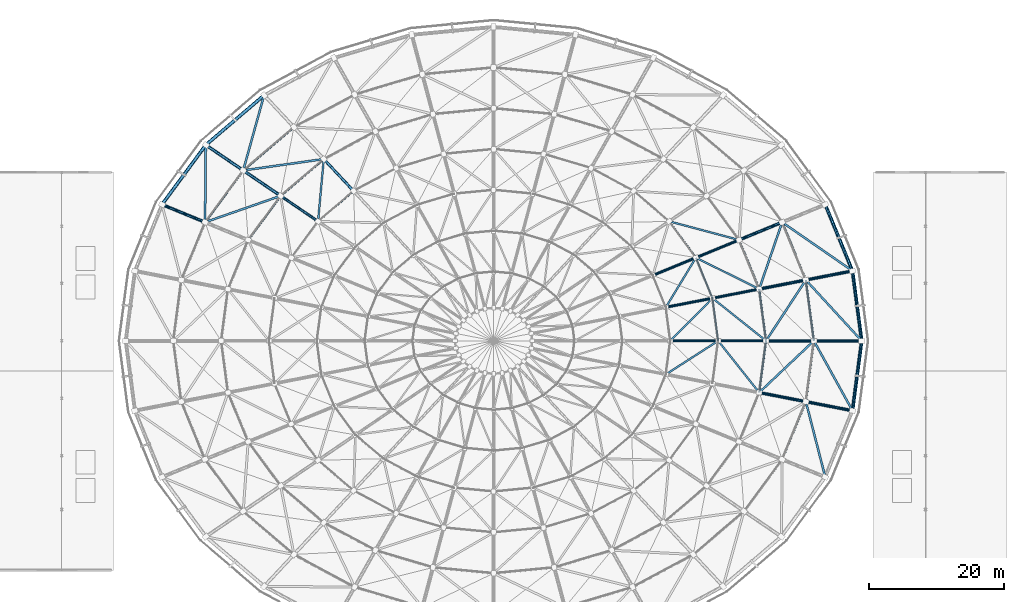
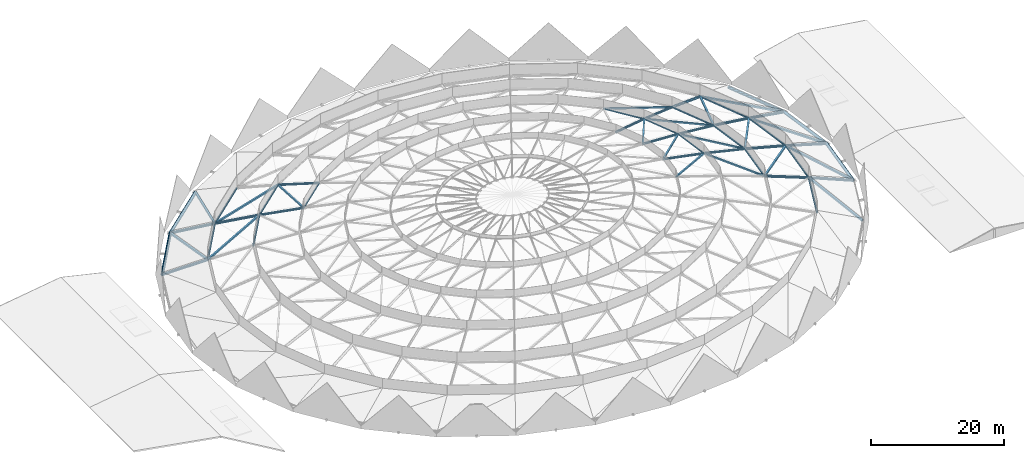
# One storey, part 13 of 27: 52 members, 5 beams.
"""IFC4 building model written with IfcOpenShell, lengths in metres."""

from ifc_helpers import new_model, si_unit, direction, frame, origin, origin_2d, place, context, subcontext, project, spatial, hollow_rectangle, hollow_circle, extrude, material, material_profile, profile_set, type_object, element, save


model = new_model("IFC4")

# Units and contexts
model_context = context("Model", 3, precision=1e-05, world=origin(), true_north=direction((0.0, 1.0)))
body_context = subcontext(model_context, "Body", "Model", "MODEL_VIEW")
ifc_project = project(units=[si_unit("LENGTHUNIT", "METRE"), si_unit("AREAUNIT", "SQUARE_METRE"), si_unit("VOLUMEUNIT", "CUBIC_METRE"), si_unit("PLANEANGLEUNIT", "RADIAN"), si_unit("MASSUNIT", "GRAM", prefix="KILO")], contexts=[model_context])

# Site, building, storey
site_placement = place(None, origin())
site = spatial("IfcSite", under=ifc_project, at=site_placement, CompositionType="ELEMENT")
building_placement = place(site_placement, origin())
building = spatial("IfcBuilding", under=site, at=building_placement, Name="Cuetzalor Civic Arena", CompositionType="ELEMENT")
storey_placement = place(building_placement, frame((0.0, 0.0, 31.800048828125)))
storey = spatial("IfcBuildingStorey", under=building, at=storey_placement, Name="Roof", CompositionType="ELEMENT", Elevation=31.800048828125)

# Members
ifc_material_1 = material(Name="Steel S355J2H", Category="steel")
ifc_material_profile_1 = material_profile(ifc_material_1, hollow_circle(Radius=0.136474609375, WallThickness=0.010009765625, at=origin_2d()), Name="CHS 273x10")
ifc_profile_set_1 = profile_set([ifc_material_profile_1], Name="Steel S355J2H")
member_type_1 = type_object("IfcMemberType", Name="DomeAnnularChord_CHS273", PredefinedType="CHORD", material=ifc_profile_set_1)
member_1_placement = place(storey_placement, frame((33.275146484375, 0.001953125, 5.66650390625), z_axis=(-0.130895721038, 0.99139614192, 0.0), x_axis=(-0.99139614192, -0.130895721038, 0.0)))
element("IfcMember", 1, at=member_1_placement, inside=storey, type_object=member_type_1, Name="Dome Roof Truss Annular Ring Chord R3-S01", PredefinedType="CHORD", context=body_context, shape_type="SweptSolid", body=[
    extrude(hollow_circle(Radius=0.136474609375, WallThickness=0.010009765625, at=origin_2d()), origin(), (0.0, 0.0, 1.0), 6.369384765625),
])
member_2_placement = place(storey_placement, frame((32.4404296875, 6.320556640625, 5.66650390625), z_axis=(-0.379402610444, 0.925231678656, 0.0), x_axis=(-0.925231678656, -0.379402610444, 0.0)))
element("IfcMember", 2, at=member_2_placement, inside=storey, type_object=member_type_1, Name="Dome Roof Truss Annular Ring Chord R3-S02", PredefinedType="CHORD", context=body_context, shape_type="SweptSolid", body=[
    extrude(hollow_circle(Radius=0.136474609375, WallThickness=0.010009765625, at=origin_2d()), origin(), (0.0, 0.0, 1.0), 6.482421875),
])
member_3_placement = place(storey_placement, frame((29.97900390625, 12.322021484375, 5.66650390625), z_axis=(-0.592932287523, 0.805252322203, 0.0), x_axis=(-0.805252322203, -0.592932287523, 0.0)))
element("IfcMember", 3, at=member_3_placement, inside=storey, type_object=member_type_1, Name="Dome Roof Truss Annular Ring Chord R3-S03", PredefinedType="CHORD", context=body_context, shape_type="SweptSolid", body=[
    extrude(hollow_circle(Radius=0.136474609375, WallThickness=0.010009765625, at=origin_2d()), origin(), (0.0, 0.0, 1.0), 6.681884765625),
])
member_4_placement = place(storey_placement, frame((-20.748291015625, 22.19921875, 5.66650390625), z_axis=(-0.760693610766, -0.649111108009, 0.0), x_axis=(0.649111108009, -0.760693610766, 0.0)))
element("IfcMember", 4, at=member_4_placement, inside=storey, type_object=member_type_1, Name="Dome Roof Truss Annular Ring Chord R3-S11", PredefinedType="CHORD", context=body_context, shape_type="SweptSolid", body=[
    extrude(hollow_circle(Radius=0.136474609375, WallThickness=0.010009765625, at=origin_2d()), origin(), (0.0, 0.0, 1.0), 6.9228515625),
])
ifc_material_2 = material(Name="Steel S355J2H", Category="steel")
ifc_material_profile_2 = material_profile(ifc_material_2, hollow_circle(Radius=0.161865234375, WallThickness=0.012451171875, at=origin_2d()), Name="CHS 323.9x12.5")
ifc_profile_set_2 = profile_set([ifc_material_profile_2], Name="Steel S355J2H")
member_type_2 = type_object("IfcMemberType", Name="DomeAnnularChord_CHS323", PredefinedType="CHORD", material=ifc_profile_set_2)
member_5_placement = place(storey_placement, frame((47.458251953125, 0.001953125, 2.11083984375), z_axis=(-0.130910465055, 0.991394195131, 0.0), x_axis=(-0.991394195131, -0.130910465055, 0.0)))
element("IfcMember", 5, at=member_5_placement, inside=storey, type_object=member_type_2, Name="Dome Roof Truss Annular Ring Chord R1-S01", PredefinedType="CHORD", context=body_context, shape_type="SweptSolid", body=[
    extrude(hollow_circle(Radius=0.161865234375, WallThickness=0.012451171875, at=origin_2d()), origin(), (0.0, 0.0, 1.0), 9.0859375),
])
member_6_placement = place(storey_placement, frame((46.267822265625, 9.013671875, 2.11083984375), z_axis=(-0.379388313987, 0.925237540965, 0.0), x_axis=(-0.925237540965, -0.379388313987, 0.0)))
element("IfcMember", 6, at=member_6_placement, inside=storey, type_object=member_type_2, Name="Dome Roof Truss Annular Ring Chord R1-S02", PredefinedType="CHORD", context=body_context, shape_type="SweptSolid", body=[
    extrude(hollow_circle(Radius=0.161865234375, WallThickness=0.012451171875, at=origin_2d()), origin(), (0.0, 0.0, 1.0), 9.247314453125),
])
member_7_placement = place(storey_placement, frame((-29.59130859375, 31.66162109375, 2.11083984375), z_axis=(-0.760691040158, -0.649114120493, 0.0), x_axis=(0.649114120493, -0.760691040158, 0.0)))
element("IfcMember", 7, at=member_7_placement, inside=storey, type_object=member_type_2, Name="Dome Roof Truss Annular Ring Chord R1-S11", PredefinedType="CHORD", context=body_context, shape_type="SweptSolid", body=[
    extrude(hollow_circle(Radius=0.161865234375, WallThickness=0.012451171875, at=origin_2d()), origin(), (0.0, 0.0, 1.0), 9.874755859375),
])
member_8_placement = place(storey_placement, frame((-37.105712890625, 25.248779296875, 2.11083984375), z_axis=(-0.59292378617, -0.805258581943, 0.0), x_axis=(0.805258581943, -0.59292378617, 0.0)))
element("IfcMember", 8, at=member_8_placement, inside=storey, type_object=member_type_2, Name="Dome Roof Truss Annular Ring Chord R1-S12", PredefinedType="CHORD", context=body_context, shape_type="SweptSolid", body=[
    extrude(hollow_circle(Radius=0.161865234375, WallThickness=0.012451171875, at=origin_2d()), origin(), (0.0, 0.0, 1.0), 9.53173828125),
])
member_9_placement = place(storey_placement, frame((42.759521484375, -17.569580078125, 2.11083984375), z_axis=(0.379388313987, 0.925237540965, 0.0), x_axis=(-0.925237540965, 0.379388313987, 0.0)))
element("IfcMember", 9, at=member_9_placement, inside=storey, type_object=member_type_2, Name="Dome Roof Truss Annular Ring Chord R1-S27", PredefinedType="CHORD", context=body_context, shape_type="SweptSolid", body=[
    extrude(hollow_circle(Radius=0.161865234375, WallThickness=0.012451171875, at=origin_2d()), origin(), (0.0, 0.0, 1.0), 9.247314453125),
])
member_10_placement = place(storey_placement, frame((46.268798828125, -9.009765625, 2.11083984375), z_axis=(0.130910465055, 0.991394195131, 0.0), x_axis=(-0.991394195131, 0.130910465055, 0.0)))
element("IfcMember", 10, at=member_10_placement, inside=storey, type_object=member_type_2, Name="Dome Roof Truss Annular Ring Chord R1-S28", PredefinedType="CHORD", context=body_context, shape_type="SweptSolid", body=[
    extrude(hollow_circle(Radius=0.161865234375, WallThickness=0.012451171875, at=origin_2d()), origin(), (0.0, 0.0, 1.0), 9.0859375),
])
member_11_placement = place(storey_placement, frame((40.36669921875, 0.001953125, 4.004638671875), z_axis=(-0.130890912875, 0.991396776738, 0.0), x_axis=(-0.991396776738, -0.130890912875, 0.0)))
element("IfcMember", 11, at=member_11_placement, inside=storey, type_object=member_type_2, Name="Dome Roof Truss Annular Ring Chord R2-S01", PredefinedType="CHORD", context=body_context, shape_type="SweptSolid", body=[
    extrude(hollow_circle(Radius=0.161865234375, WallThickness=0.012451171875, at=origin_2d()), origin(), (0.0, 0.0, 1.0), 7.7275390625),
])
member_12_placement = place(storey_placement, frame((39.35400390625, 7.6669921875, 4.004638671875), z_axis=(-0.379383309486, 0.925239593016, 0.0), x_axis=(-0.925239593016, -0.379383309486, 0.0)))
element("IfcMember", 12, at=member_12_placement, inside=storey, type_object=member_type_2, Name="Dome Roof Truss Annular Ring Chord R2-S02", PredefinedType="CHORD", context=body_context, shape_type="SweptSolid", body=[
    extrude(hollow_circle(Radius=0.161865234375, WallThickness=0.012451171875, at=origin_2d()), origin(), (0.0, 0.0, 1.0), 7.864990234375),
])
member_13_placement = place(storey_placement, frame((-25.169921875, 26.930419921875, 4.004638671875), z_axis=(-0.760687028115, -0.649118822141, 0.0), x_axis=(0.649118822141, -0.760687028115, 0.0)))
element("IfcMember", 13, at=member_13_placement, inside=storey, type_object=member_type_2, Name="Dome Roof Truss Annular Ring Chord R2-S11", PredefinedType="CHORD", context=body_context, shape_type="SweptSolid", body=[
    extrude(hollow_circle(Radius=0.161865234375, WallThickness=0.012451171875, at=origin_2d()), origin(), (0.0, 0.0, 1.0), 8.3984375),
])
member_14_placement = place(storey_placement, frame((-31.561279296875, 21.475830078125, 4.004638671875), z_axis=(-0.592922674984, -0.805259400125, 0.0), x_axis=(0.805259400125, -0.592922674984, 0.0)))
element("IfcMember", 14, at=member_14_placement, inside=storey, type_object=member_type_2, Name="Dome Roof Truss Annular Ring Chord R2-S12", PredefinedType="CHORD", context=body_context, shape_type="SweptSolid", body=[
    extrude(hollow_circle(Radius=0.161865234375, WallThickness=0.012451171875, at=origin_2d()), origin(), (0.0, 0.0, 1.0), 8.107177734375),
])
member_15_placement = place(storey_placement, frame((39.355224609375, -7.6630859375, 4.004638671875), z_axis=(0.130890912875, 0.991396776738, 0.0), x_axis=(-0.991396776738, 0.130890912875, 0.0)))
element("IfcMember", 15, at=member_15_placement, inside=storey, type_object=member_type_2, Name="Dome Roof Truss Annular Ring Chord R2-S28", PredefinedType="CHORD", context=body_context, shape_type="SweptSolid", body=[
    extrude(hollow_circle(Radius=0.161865234375, WallThickness=0.012451171875, at=origin_2d()), origin(), (0.0, 0.0, 1.0), 7.7275390625),
])
ifc_material_3 = material(Name="Steel S355J2H", Category="steel")
ifc_material_profile_3 = material_profile(ifc_material_3, hollow_rectangle(XDim=0.260009765625, YDim=0.260009765625, WallThickness=0.012451171875, at=origin_2d()), Name="RHS 260x260x12.5")
ifc_profile_set_3 = profile_set([ifc_material_profile_3], Name="Steel S355J2H")
member_type_3 = type_object("IfcMemberType", Name="DomeLamellaStrut_RHS260", PredefinedType="STRUT", material=ifc_profile_set_3)
member_16_placement = place(storey_placement, frame((40.365478515625, 0.001220703125, 4.0048828125), z_axis=(-0.771628690901, 0.6151487077, 0.161806151904), x_axis=(-0.623363035345, -0.781932558579, 0.0)))
element("IfcMember", 16, at=member_16_placement, inside=storey, type_object=member_type_3, Name="Dome Roof Truss Lamella Strut R3-S01", PredefinedType="STRUT", context=body_context, shape_type="SweptSolid", body=[
    extrude(hollow_rectangle(XDim=0.260009765625, YDim=0.260009765625, WallThickness=0.012451171875, at=origin_2d()), origin(), (0.0, 0.0, 1.0), 10.267578125),
])
member_17_placement = place(storey_placement, frame((39.35302734375, 7.666015625, 4.0048828125), z_axis=(-0.884573533449, 0.439244777708, 0.156823751957), x_axis=(-0.444747818156, -0.895655836941, 0.0)))
element("IfcMember", 17, at=member_17_placement, inside=storey, type_object=member_type_3, Name="Dome Roof Truss Lamella Strut R3-S02", PredefinedType="STRUT", context=body_context, shape_type="SweptSolid", body=[
    extrude(hollow_rectangle(XDim=0.260009765625, YDim=0.260009765625, WallThickness=0.012451171875, at=origin_2d()), origin(), (0.0, 0.0, 1.0), 10.593994140625),
])
member_18_placement = place(storey_placement, frame((36.367431640625, 14.946533203125, 4.0048828125), z_axis=(-0.954877486523, 0.254390732734, 0.153278637883), x_axis=(-0.257432813994, -0.966296200075, 0.0)))
element("IfcMember", 18, at=member_18_placement, inside=storey, type_object=member_type_3, Name="Dome Roof Truss Lamella Strut R3-S03", PredefinedType="STRUT", context=body_context, shape_type="SweptSolid", body=[
    extrude(hollow_rectangle(XDim=0.260009765625, YDim=0.260009765625, WallThickness=0.012451171875, at=origin_2d()), origin(), (0.0, 0.0, 1.0), 10.8388671875),
])
member_19_placement = place(storey_placement, frame((-25.168701171875, 26.9296875, 4.005126953125), z_axis=(-0.090003228603, -0.980176412046, 0.176503881287), x_axis=(0.995810695667, -0.091438823242, 0.0)))
element("IfcMember", 19, at=member_19_placement, inside=storey, type_object=member_type_3, Name="Dome Roof Truss Lamella Strut R3-S11", PredefinedType="STRUT", context=body_context, shape_type="SweptSolid", body=[
    extrude(hollow_rectangle(XDim=0.260009765625, YDim=0.260009765625, WallThickness=0.012451171875, at=origin_2d()), origin(), (0.0, 0.0, 1.0), 9.409912109375),
])
member_20_placement = place(storey_placement, frame((39.353759765625, -7.663818359375, 4.0048828125), z_axis=(-0.612624585496, 0.772425784019, 0.16747992545), x_axis=(-0.783492230732, -0.621401580608, 0.0)))
element("IfcMember", 20, at=member_20_placement, inside=storey, type_object=member_type_3, Name="Dome Roof Truss Lamella Strut R3-S28", PredefinedType="STRUT", context=body_context, shape_type="SweptSolid", body=[
    extrude(hollow_rectangle(XDim=0.260009765625, YDim=0.260009765625, WallThickness=0.012451171875, at=origin_2d()), origin(), (0.0, 0.0, 1.0), 9.919921875),
])
member_21_placement = place(storey_placement, frame((33.273681640625, -0.001220703125, 5.666748046875), z_axis=(-0.831898413658, -0.533845846865, 0.151504591145), x_axis=(0.540080233959, -0.841613534163, 0.0)))
element("IfcMember", 21, at=member_21_placement, inside=storey, type_object=member_type_3, Name="Dome Roof Truss Lamella Strut R4-S01", PredefinedType="STRUT", context=body_context, shape_type="SweptSolid", body=[
    extrude(hollow_rectangle(XDim=0.260009765625, YDim=0.260009765625, WallThickness=0.012451171875, at=origin_2d()), origin(), (0.0, 0.0, 1.0), 9.309326171875),
])
member_22_placement = place(storey_placement, frame((32.439697265625, 6.317138671875, 5.666748046875), z_axis=(-0.694956680159, -0.701765725624, 0.156716556377), x_axis=(0.710545495474, -0.703651262247, 0.0)))
element("IfcMember", 22, at=member_22_placement, inside=storey, type_object=member_type_3, Name="Dome Roof Truss Lamella Strut R4-S02", PredefinedType="STRUT", context=body_context, shape_type="SweptSolid", body=[
    extrude(hollow_rectangle(XDim=0.260009765625, YDim=0.260009765625, WallThickness=0.012451171875, at=origin_2d()), origin(), (0.0, 0.0, 1.0), 8.999755859375),
])
member_23_placement = place(storey_placement, frame((29.979248046875, 12.318603515625, 5.666748046875), z_axis=(-0.511382307273, -0.843935091295, 0.162054612678), x_axis=(0.855239830351, -0.518232411743, 0.0)))
element("IfcMember", 23, at=member_23_placement, inside=storey, type_object=member_type_3, Name="Dome Roof Truss Lamella Strut R4-S03", PredefinedType="STRUT", context=body_context, shape_type="SweptSolid", body=[
    extrude(hollow_rectangle(XDim=0.260009765625, YDim=0.260009765625, WallThickness=0.012451171875, at=origin_2d()), origin(), (0.0, 0.0, 1.0), 8.703125),
])
ifc_material_4 = material(Name="Steel S355J2H", Category="steel")
ifc_material_profile_4 = material_profile(ifc_material_4, hollow_rectangle(XDim=0.300048828125, YDim=0.300048828125, WallThickness=0.013916015625, at=origin_2d()), Name="RHS 300x300x14")
ifc_profile_set_4 = profile_set([ifc_material_profile_4], Name="Steel S355J2H")
member_type_4 = type_object("IfcMemberType", Name="DomeLamellaStrut_RHS300", PredefinedType="STRUT", material=ifc_profile_set_4)
member_24_placement = place(storey_placement, frame((54.548583984375, 0.00146484375, 0.000244140625), z_axis=(-0.666788666422, 0.725603874811, 0.169976148885), x_axis=(-0.736318653811, -0.676634938538, 0.0)))
element("IfcMember", 24, at=member_24_placement, inside=storey, type_object=member_type_4, Name="Dome Roof Truss Lamella Strut R1-S01", PredefinedType="STRUT", context=body_context, shape_type="SweptSolid", body=[
    extrude(hollow_rectangle(XDim=0.300048828125, YDim=0.300048828125, WallThickness=0.013916015625, at=origin_2d()), origin(), (0.0, 0.0, 1.0), 12.41552734375),
])
member_25_placement = place(storey_placement, frame((53.1806640625, 10.359375, 0.000244140625), z_axis=(-0.811130323204, 0.56132225192, 0.164270899062), x_axis=(-0.56905268277, -0.822301066661, 0.0)))
element("IfcMember", 25, at=member_25_placement, inside=storey, type_object=member_type_4, Name="Dome Roof Truss Lamella Strut R1-S02", PredefinedType="STRUT", context=body_context, shape_type="SweptSolid", body=[
    extrude(hollow_rectangle(XDim=0.300048828125, YDim=0.300048828125, WallThickness=0.013916015625, at=origin_2d()), origin(), (0.0, 0.0, 1.0), 12.8466796875),
])
member_26_placement = place(storey_placement, frame((-34.011962890625, 36.392333984375, 0.000244140625), z_axis=(-0.263100552718, -0.947909847653, 0.179568983632), x_axis=(0.963572346338, -0.267447814297, 0.0)))
element("IfcMember", 26, at=member_26_placement, inside=storey, type_object=member_type_4, Name="Dome Roof Truss Lamella Strut R1-S11", PredefinedType="STRUT", context=body_context, shape_type="SweptSolid", body=[
    extrude(hollow_rectangle(XDim=0.300048828125, YDim=0.300048828125, WallThickness=0.013916015625, at=origin_2d()), origin(), (0.0, 0.0, 1.0), 11.752197265625),
])
member_27_placement = place(storey_placement, frame((-42.64892578125, 29.021484375, 0.000244140625), z_axis=(-0.009416317125, -0.983386472832, 0.181279833468), x_axis=(0.999954159026, -0.009574959318, 0.0)))
element("IfcMember", 27, at=member_27_placement, inside=storey, type_object=member_type_4, Name="Dome Roof Truss Lamella Strut R1-S12", PredefinedType="STRUT", context=body_context, shape_type="SweptSolid", body=[
    extrude(hollow_rectangle(XDim=0.300048828125, YDim=0.300048828125, WallThickness=0.013916015625, at=origin_2d()), origin(), (0.0, 0.0, 1.0), 11.641357421875),
])
member_28_placement = place(storey_placement, frame((49.1474609375, -20.1953125, 0.000244140625), z_axis=(-0.245233469276, 0.952645707619, 0.17979627722), x_axis=(-0.968427327786, -0.24929603045, 0.0)))
element("IfcMember", 28, at=member_28_placement, inside=storey, type_object=member_type_4, Name="Dome Roof Truss Lamella Strut R1-S27", PredefinedType="STRUT", context=body_context, shape_type="SweptSolid", body=[
    extrude(hollow_rectangle(XDim=0.300048828125, YDim=0.300048828125, WallThickness=0.013916015625, at=origin_2d()), origin(), (0.0, 0.0, 1.0), 11.737548828125),
])
member_29_placement = place(storey_placement, frame((53.181396484375, -10.356689453125, 0.000244140625), z_axis=(-0.476133762571, 0.8616605114, 0.175606956678), x_axis=(-0.875261765766, -0.483649502623, 0.0)))
element("IfcMember", 29, at=member_29_placement, inside=storey, type_object=member_type_4, Name="Dome Roof Truss Lamella Strut R1-S28", PredefinedType="STRUT", context=body_context, shape_type="SweptSolid", body=[
    extrude(hollow_rectangle(XDim=0.300048828125, YDim=0.300048828125, WallThickness=0.013916015625, at=origin_2d()), origin(), (0.0, 0.0, 1.0), 12.017578125),
])
member_30_placement = place(storey_placement, frame((47.45703125, -0.00146484375, 2.111328125), z_axis=(-0.716246178214, -0.677477662012, 0.167378103911), x_axis=(0.687171746172, -0.726495004293, 0.0)))
element("IfcMember", 30, at=member_30_placement, inside=storey, type_object=member_type_4, Name="Dome Roof Truss Lamella Strut R2-S01", PredefinedType="STRUT", context=body_context, shape_type="SweptSolid", body=[
    extrude(hollow_rectangle(XDim=0.300048828125, YDim=0.300048828125, WallThickness=0.013916015625, at=origin_2d()), origin(), (0.0, 0.0, 1.0), 11.31005859375),
])
member_31_placement = place(storey_placement, frame((46.267578125, 9.01025390625, 2.111328125), z_axis=(-0.539574030844, -0.823942317667, 0.173144224266), x_axis=(0.836577583383, -0.547848470822, 0.0)))
element("IfcMember", 31, at=member_31_placement, inside=storey, type_object=member_type_4, Name="Dome Roof Truss Lamella Strut R2-S02", PredefinedType="STRUT", context=body_context, shape_type="SweptSolid", body=[
    extrude(hollow_rectangle(XDim=0.300048828125, YDim=0.300048828125, WallThickness=0.013916015625, at=origin_2d()), origin(), (0.0, 0.0, 1.0), 10.933349609375),
])
member_32_placement = place(storey_placement, frame((42.758056640625, 17.569580078125, 2.111328125), z_axis=(-0.319775108944, -0.930644915969, 0.177887380329), x_axis=(0.945728479164, -0.324957910656, 0.0)))
element("IfcMember", 32, at=member_32_placement, inside=storey, type_object=member_type_4, Name="Dome Roof Truss Lamella Strut R2-S03", PredefinedType="STRUT", context=body_context, shape_type="SweptSolid", body=[
    extrude(hollow_rectangle(XDim=0.300048828125, YDim=0.300048828125, WallThickness=0.013916015625, at=origin_2d()), origin(), (0.0, 0.0, 1.0), 10.640625),
])
member_33_placement = place(storey_placement, frame((-37.1025390625, 25.250732421875, 2.111328125), z_axis=(0.978227289532, 0.137785257215, 0.155198559623), x_axis=(-0.139475237341, 0.990225559238, 0.0)))
element("IfcMember", 33, at=member_33_placement, inside=storey, type_object=member_type_4, Name="Dome Roof Truss Lamella Strut R2-S12", PredefinedType="STRUT", context=body_context, shape_type="SweptSolid", body=[
    extrude(hollow_rectangle(XDim=0.300048828125, YDim=0.300048828125, WallThickness=0.013916015625, at=origin_2d()), origin(), (0.0, 0.0, 1.0), 12.19775390625),
])
member_34_placement = place(storey_placement, frame((-42.756591796875, 17.572265625, 2.111328125), z_axis=(0.932403407858, 0.325211604516, 0.157674656501), x_axis=(-0.329331170168, 0.944214477942, 0.0)))
element("IfcMember", 34, at=member_34_placement, inside=storey, type_object=member_type_4, Name="Dome Roof Truss Lamella Strut R2-S13", PredefinedType="STRUT", context=body_context, shape_type="SweptSolid", body=[
    extrude(hollow_rectangle(XDim=0.300048828125, YDim=0.300048828125, WallThickness=0.013916015625, at=origin_2d()), origin(), (0.0, 0.0, 1.0), 12.006103515625),
])
ifc_material_5 = material(Name="Steel S355J2H", Category="steel")
ifc_material_profile_5 = material_profile(ifc_material_5, hollow_circle(Radius=0.202880859375, WallThickness=0.01611328125, at=origin_2d()), Name="CHS 406x16")
ifc_profile_set_5 = profile_set([ifc_material_profile_5], Name="Steel S355J2H")
member_type_5 = type_object("IfcMemberType", Name="DomeRadialChord_CHS406", PredefinedType="CHORD", material=ifc_profile_set_5)
member_35_placement = place(storey_placement, frame((40.364990234375, 0.0, 4.005126953125), z_axis=(-0.973624808729, 0.0, 0.228155060927), x_axis=(0.0, -1.0, 0.0)))
element("IfcMember", 35, at=member_35_placement, inside=storey, type_object=member_type_5, Name="Dome Roof Truss Radial Chord R3-S01", PredefinedType="CHORD", context=body_context, shape_type="SweptSolid", body=[
    extrude(hollow_circle(Radius=0.202880859375, WallThickness=0.01611328125, at=origin_2d()), origin(), (0.0, 0.0, 1.0), 7.279541015625),
])
member_36_placement = place(storey_placement, frame((39.35302734375, 7.664794921875, 4.005126953125), z_axis=(-0.955330824521, -0.186050365854, 0.229626385868), x_axis=(0.191158336127, -0.98155921397, 0.0)))
element("IfcMember", 36, at=member_36_placement, inside=storey, type_object=member_type_5, Name="Dome Roof Truss Radial Chord R3-S02", PredefinedType="CHORD", context=body_context, shape_type="SweptSolid", body=[
    extrude(hollow_circle(Radius=0.202880859375, WallThickness=0.01611328125, at=origin_2d()), origin(), (0.0, 0.0, 1.0), 7.23291015625),
])
member_37_placement = place(storey_placement, frame((36.36767578125, 14.9453125, 4.005126953125), z_axis=(-0.899284049236, -0.369567374416, 0.233897743805), x_axis=(0.380111202168, -0.924940794855, 0.0)))
element("IfcMember", 37, at=member_37_placement, inside=storey, type_object=member_type_5, Name="Dome Roof Truss Radial Chord R3-S03", PredefinedType="CHORD", context=body_context, shape_type="SweptSolid", body=[
    extrude(hollow_circle(Radius=0.202880859375, WallThickness=0.01611328125, at=origin_2d()), origin(), (0.0, 0.0, 1.0), 7.100830078125),
])
member_38_placement = place(storey_placement, frame((-25.1669921875, 26.930419921875, 4.005126953125), z_axis=(0.661334530515, -0.707703585116, 0.248580518873), x_axis=(0.730637390049, 0.682765702318, 0.0)))
element("IfcMember", 38, at=member_38_placement, inside=storey, type_object=member_type_5, Name="Dome Roof Truss Radial Chord R3-S11", PredefinedType="CHORD", context=body_context, shape_type="SweptSolid", body=[
    extrude(hollow_circle(Radius=0.202880859375, WallThickness=0.01611328125, at=origin_2d()), origin(), (0.0, 0.0, 1.0), 6.681396484375),
])
member_39_placement = place(storey_placement, frame((-31.55859375, 21.476318359375, 4.005126953125), z_axis=(0.802453342906, -0.546093947858, 0.240520337128), x_axis=(0.562609867277, 0.826722527359, 0.0)))
element("IfcMember", 39, at=member_39_placement, inside=storey, type_object=member_type_5, Name="Dome Roof Truss Radial Chord R3-S12", PredefinedType="CHORD", context=body_context, shape_type="SweptSolid", body=[
    extrude(hollow_circle(Radius=0.202880859375, WallThickness=0.01611328125, at=origin_2d()), origin(), (0.0, 0.0, 1.0), 6.905517578125),
])
member_40_placement = place(storey_placement, frame((33.2734375, 0.0, 5.666748046875), z_axis=(-0.980775104176, 0.0, 0.195141474396), x_axis=(0.0, -1.0, 0.0)))
element("IfcMember", 40, at=member_40_placement, inside=storey, type_object=member_type_5, Name="Dome Roof Truss Radial Chord R4-S01", PredefinedType="CHORD", context=body_context, shape_type="SweptSolid", body=[
    extrude(hollow_circle(Radius=0.202880859375, WallThickness=0.01611328125, at=origin_2d()), origin(), (0.0, 0.0, 1.0), 7.226318359375),
])
member_41_placement = place(storey_placement, frame((32.439208984375, 6.318115234375, 5.666748046875), z_axis=(-0.96243984419, -0.187434845111, 0.196412130871), x_axis=(0.191158336127, -0.98155921397, 0.0)))
element("IfcMember", 41, at=member_41_placement, inside=storey, type_object=member_type_5, Name="Dome Roof Truss Radial Chord R4-S02", PredefinedType="CHORD", context=body_context, shape_type="SweptSolid", body=[
    extrude(hollow_circle(Radius=0.202880859375, WallThickness=0.01611328125, at=origin_2d()), origin(), (0.0, 0.0, 1.0), 7.1796875),
])
member_42_placement = place(storey_placement, frame((29.978515625, 12.319580078125, 5.666748046875), z_axis=(-0.906230193855, -0.372421943483, 0.200121792312), x_axis=(0.380111202168, -0.924940794855, 0.0)))
element("IfcMember", 42, at=member_42_placement, inside=storey, type_object=member_type_5, Name="Dome Roof Truss Radial Chord R4-S03", PredefinedType="CHORD", context=body_context, shape_type="SweptSolid", body=[
    extrude(hollow_circle(Radius=0.202880859375, WallThickness=0.01611328125, at=origin_2d()), origin(), (0.0, 0.0, 1.0), 7.04638671875),
])
ifc_material_6 = material(Name="Steel S355J2H", Category="steel")
ifc_material_profile_6 = material_profile(ifc_material_6, hollow_circle(Radius=0.228515625, WallThickness=0.01611328125, at=origin_2d()), Name="CHS 457x16")
ifc_profile_set_6 = profile_set([ifc_material_profile_6], Name="Steel S355J2H")
member_type_6 = type_object("IfcMemberType", Name="DomeRadialChord_CHS457", PredefinedType="CHORD", material=ifc_profile_set_6)
member_43_placement = place(storey_placement, frame((54.548095703125, 0.0, 0.00048828125), z_axis=(-0.958435636364, 0.0, 0.285308834331), x_axis=(0.0, -1.0, 0.0)))
element("IfcMember", 43, at=member_43_placement, inside=storey, type_object=member_type_6, Name="Dome Roof Truss Radial Chord R1-S01", PredefinedType="CHORD", context=body_context, shape_type="SweptSolid", body=[
    extrude(hollow_circle(Radius=0.228515625, WallThickness=0.01611328125, at=origin_2d()), origin(), (0.0, 0.0, 1.0), 7.39501953125),
])
member_44_placement = place(storey_placement, frame((53.180419921875, 10.35791015625, 0.00048828125), z_axis=(-0.940238753322, -0.18311118992, 0.287091237897), x_axis=(0.191158336127, -0.98155921397, 0.0)))
element("IfcMember", 44, at=member_44_placement, inside=storey, type_object=member_type_6, Name="Dome Roof Truss Radial Chord R1-S02", PredefinedType="CHORD", context=body_context, shape_type="SweptSolid", body=[
    extrude(hollow_circle(Radius=0.228515625, WallThickness=0.01611328125, at=origin_2d()), origin(), (0.0, 0.0, 1.0), 7.34912109375),
])
member_45_placement = place(storey_placement, frame((-42.647216796875, 29.0224609375, 0.00048828125), z_axis=(0.788563642301, -0.536665228189, 0.300262909621), x_axis=(0.562626809425, 0.826710997457, 0.0)))
element("IfcMember", 45, at=member_45_placement, inside=storey, type_object=member_type_6, Name="Dome Roof Truss Radial Chord R1-S12", PredefinedType="CHORD", context=body_context, shape_type="SweptSolid", body=[
    extrude(hollow_circle(Radius=0.228515625, WallThickness=0.01611328125, at=origin_2d()), origin(), (0.0, 0.0, 1.0), 7.026611328125),
])
member_46_placement = place(storey_placement, frame((-49.14599609375, 20.196533203125, 0.00048828125), z_axis=(0.884549624943, -0.363526053088, 0.292268318056), x_axis=(0.38012363529, 0.924935685274, 0.0)))
element("IfcMember", 46, at=member_46_placement, inside=storey, type_object=member_type_6, Name="Dome Roof Truss Radial Chord R1-S13", PredefinedType="CHORD", context=body_context, shape_type="SweptSolid", body=[
    extrude(hollow_circle(Radius=0.228515625, WallThickness=0.01611328125, at=origin_2d()), origin(), (0.0, 0.0, 1.0), 7.218994140625),
])
member_47_placement = place(storey_placement, frame((53.180419921875, -10.35791015625, 0.00048828125), z_axis=(-0.940238753322, 0.18311118992, 0.287091237897), x_axis=(-0.191158336127, -0.98155921397, 0.0)))
element("IfcMember", 47, at=member_47_placement, inside=storey, type_object=member_type_6, Name="Dome Roof Truss Radial Chord R1-S28", PredefinedType="CHORD", context=body_context, shape_type="SweptSolid", body=[
    extrude(hollow_circle(Radius=0.228515625, WallThickness=0.01611328125, at=origin_2d()), origin(), (0.0, 0.0, 1.0), 7.34912109375),
])
member_48_placement = place(storey_placement, frame((47.45654296875, 0.0, 2.111572265625), z_axis=(-0.966148716871, 0.0, 0.257985768771), x_axis=(0.0, -1.0, 0.0)))
element("IfcMember", 48, at=member_48_placement, inside=storey, type_object=member_type_6, Name="Dome Roof Truss Radial Chord R2-S01", PredefinedType="CHORD", context=body_context, shape_type="SweptSolid", body=[
    extrude(hollow_circle(Radius=0.228515625, WallThickness=0.01611328125, at=origin_2d()), origin(), (0.0, 0.0, 1.0), 7.3359375),
])
member_49_placement = place(storey_placement, frame((46.2666015625, 9.011474609375, 2.111572265625), z_axis=(-0.947895531708, -0.184635836, 0.259622165912), x_axis=(0.191191748916, -0.98155270625, 0.0)))
element("IfcMember", 49, at=member_49_placement, inside=storey, type_object=member_type_6, Name="Dome Roof Truss Radial Chord R2-S02", PredefinedType="CHORD", context=body_context, shape_type="SweptSolid", body=[
    extrude(hollow_circle(Radius=0.228515625, WallThickness=0.01611328125, at=origin_2d()), origin(), (0.0, 0.0, 1.0), 7.289794921875),
])
member_50_placement = place(storey_placement, frame((42.7568359375, 17.57080078125, 2.111572265625), z_axis=(-0.892042204151, -0.366557180387, 0.264379536878), x_axis=(0.380080948416, -0.924953227277, 0.0)))
element("IfcMember", 50, at=member_50_placement, inside=storey, type_object=member_type_6, Name="Dome Roof Truss Radial Chord R2-S03", PredefinedType="CHORD", context=body_context, shape_type="SweptSolid", body=[
    extrude(hollow_circle(Radius=0.228515625, WallThickness=0.01611328125, at=origin_2d()), origin(), (0.0, 0.0, 1.0), 7.158447265625),
])
member_51_placement = place(storey_placement, frame((-37.102783203125, 25.249267578125, 2.111572265625), z_axis=(0.795616601594, -0.541430137981, 0.271749202307), x_axis=(0.562601913678, 0.826727939969, 0.0)))
element("IfcMember", 51, at=member_51_placement, inside=storey, type_object=member_type_6, Name="Dome Roof Truss Radial Chord R2-S12", PredefinedType="CHORD", context=body_context, shape_type="SweptSolid", body=[
    extrude(hollow_circle(Radius=0.228515625, WallThickness=0.01611328125, at=origin_2d()), origin(), (0.0, 0.0, 1.0), 6.96435546875),
])
member_52_placement = place(storey_placement, frame((46.2666015625, -9.011474609375, 2.111572265625), z_axis=(-0.947895531708, 0.184635836, 0.259622165912), x_axis=(-0.191191748916, -0.98155270625, 0.0)))
element("IfcMember", 52, at=member_52_placement, inside=storey, type_object=member_type_6, Name="Dome Roof Truss Radial Chord R2-S28", PredefinedType="CHORD", context=body_context, shape_type="SweptSolid", body=[
    extrude(hollow_circle(Radius=0.228515625, WallThickness=0.01611328125, at=origin_2d()), origin(), (0.0, 0.0, 1.0), 7.289794921875),
])

# Beams
ifc_material_7 = material(Name="Steel S355J2H", Category="steel")
ifc_material_profile_7 = material_profile(ifc_material_7, hollow_circle(Radius=0.25390625, WallThickness=0.02001953125, at=origin_2d()), Name="CHS 508x20")
ifc_profile_set_7 = profile_set([ifc_material_profile_7], Name="Steel S355J2H")
beam_type = type_object("IfcBeamType", Name="SteelDomeRingBeam_CHS508", PredefinedType="BEAM", material=ifc_profile_set_7)
beam_1_placement = place(storey_placement, frame((54.5498046875, 0.001953125, 0.0), z_axis=(-0.13090499024, 0.991394918047, 0.0), x_axis=(-0.991394918047, -0.13090499024, 0.0)))
element("IfcBeam", 53, at=beam_1_placement, inside=storey, type_object=beam_type, Name="Arena Dome Perimeter Tension Ring Beam S01", PredefinedType="BEAM", context=body_context, shape_type="SweptSolid", body=[
    extrude(hollow_circle(Radius=0.25390625, WallThickness=0.02001953125, at=origin_2d()), origin(), (0.0, 0.0, 1.0), 10.444091796875),
])
beam_2_placement = place(storey_placement, frame((53.181396484375, 10.360107421875, 0.0), z_axis=(-0.379375892559, 0.925242634202, 0.0), x_axis=(-0.925242634202, -0.379375892559, 0.0)))
element("IfcBeam", 54, at=beam_2_placement, inside=storey, type_object=beam_type, Name="Arena Dome Perimeter Tension Ring Beam S02", PredefinedType="BEAM", context=body_context, shape_type="SweptSolid", body=[
    extrude(hollow_circle(Radius=0.25390625, WallThickness=0.02001953125, at=origin_2d()), origin(), (0.0, 0.0, 1.0), 10.6298828125),
])
beam_3_placement = place(storey_placement, frame((-34.012939453125, 36.39306640625, 0.0), z_axis=(-0.760684946097, -0.649121262001, 0.0), x_axis=(0.649121262001, -0.760684946097, 0.0)))
element("IfcBeam", 55, at=beam_3_placement, inside=storey, type_object=beam_type, Name="Arena Dome Perimeter Tension Ring Beam S11", PredefinedType="BEAM", context=body_context, shape_type="SweptSolid", body=[
    extrude(hollow_circle(Radius=0.25390625, WallThickness=0.02001953125, at=origin_2d()), origin(), (0.0, 0.0, 1.0), 11.35107421875),
])
beam_4_placement = place(storey_placement, frame((-42.650146484375, 29.02197265625, 0.0), z_axis=(-0.592928418249, -0.805255171255, 0.0), x_axis=(0.805255171255, -0.592928418249, 0.0)))
element("IfcBeam", 56, at=beam_4_placement, inside=storey, type_object=beam_type, Name="Arena Dome Perimeter Tension Ring Beam S12", PredefinedType="BEAM", context=body_context, shape_type="SweptSolid", body=[
    extrude(hollow_circle(Radius=0.25390625, WallThickness=0.02001953125, at=origin_2d()), origin(), (0.0, 0.0, 1.0), 10.956787109375),
])
beam_5_placement = place(storey_placement, frame((53.1826171875, -10.356201171875, 0.0), z_axis=(0.13090499024, 0.991394918047, 0.0), x_axis=(-0.991394918047, 0.13090499024, 0.0)))
element("IfcBeam", 57, at=beam_5_placement, inside=storey, type_object=beam_type, Name="Arena Dome Perimeter Tension Ring Beam S28", PredefinedType="BEAM", context=body_context, shape_type="SweptSolid", body=[
    extrude(hollow_circle(Radius=0.25390625, WallThickness=0.02001953125, at=origin_2d()), origin(), (0.0, 0.0, 1.0), 10.444091796875),
])

save(model, "model.ifc")
